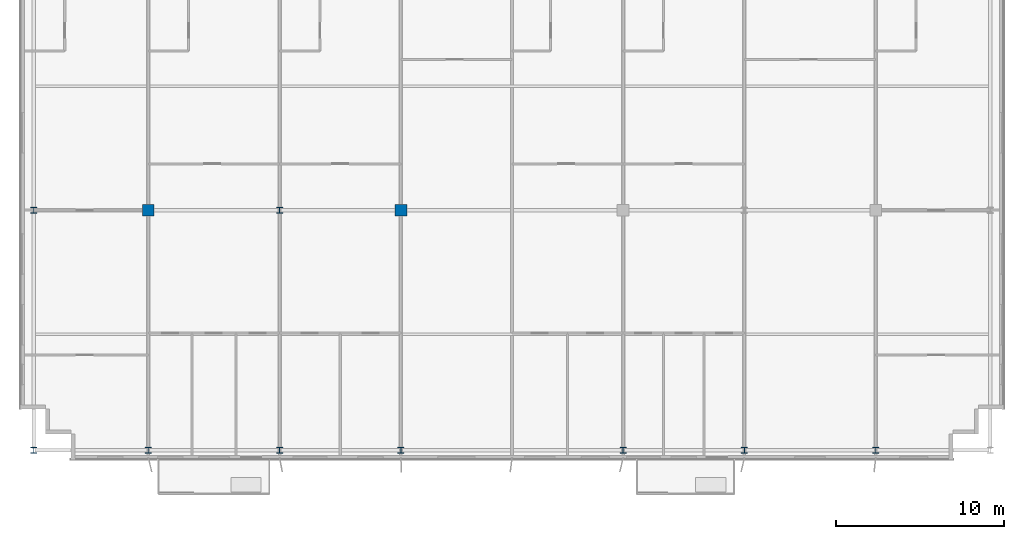
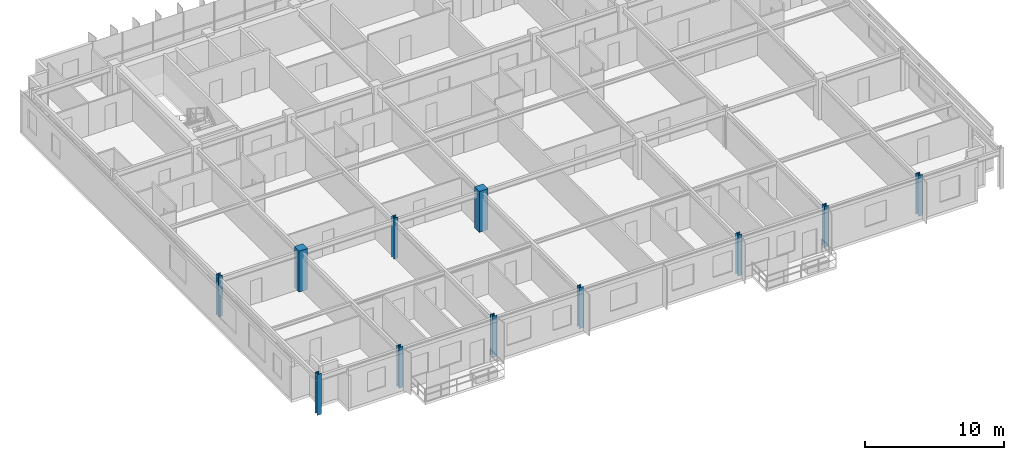
# One storey, part 1 of 23: 11 columns.
"""IFC4 building model written with IfcOpenShell, lengths in metres."""

from ifc_helpers import new_model, si_unit, direction, frame, origin, origin_2d, place, context, subcontext, project, spatial, rectangle, i_section, extrude, source, transform, mapped, material, material_profile, profile_set, type_object, element, save


model = new_model("IFC4")

# Units and contexts
model_context = context("Model", 3, precision=1e-05, world=origin(), true_north=direction((0.0, 1.0)))
body_context = subcontext(model_context, "Body", "Model", "MODEL_VIEW")
ifc_project = project(units=[si_unit("LENGTHUNIT", "METRE"), si_unit("AREAUNIT", "SQUARE_METRE"), si_unit("VOLUMEUNIT", "CUBIC_METRE"), si_unit("PLANEANGLEUNIT", "RADIAN"), si_unit("MASSUNIT", "GRAM", prefix="KILO")], contexts=[model_context])

# Site, building, storey
site_placement = place(None, origin())
site = spatial("IfcSite", under=ifc_project, at=site_placement, CompositionType="ELEMENT")
building_placement = place(site_placement, origin())
building = spatial("IfcBuilding", under=site, at=building_placement, Name="Trelvane Seafront Commons", CompositionType="ELEMENT")
storey_placement = place(building_placement, frame((0.0, 0.0, 226.5)))
storey = spatial("IfcBuildingStorey", under=building, at=storey_placement, Name="L59", CompositionType="ELEMENT", Elevation=226.5)

# Columns
ifc_material_1 = material(Name="Concrete C50/60", Category="concrete")
ifc_material_profile_1 = material_profile(ifc_material_1, rectangle(XDim=0.699951171875, YDim=0.699951171875, at=origin_2d()), Name="RC-700x700")
ifc_profile_set_1 = profile_set([ifc_material_profile_1], Name="Concrete C50/60")
column_type_1 = type_object("IfcColumnType", Name="STR-COL-RC700", PredefinedType="COLUMN", material=ifc_profile_set_1)
shared_shape_1 = source(origin(), body_context, "Body", "SweptSolid", [
    extrude(rectangle(XDim=0.699951171875, YDim=0.699951171875, at=origin_2d()), origin(), (0.0, 0.0, 1.0), 3.60009765625),
])
for number, where, z_axis, x_axis, name in (
    (1, (15.60009765625, 18.199951171875, 0.0), (0.0, 0.0, 1.0), (1.0, 0.0, 0.0), "L59 Column TC-M15.6"),
    (2, (30.60009765625, 18.199951171875, 0.0), (0.0, 0.0, 1.0), (1.0, 0.0, 0.0), "L59 Column TC-M30.6"),
):
    element("IfcColumn", number, at=place(storey_placement, frame(where, z_axis=z_axis, x_axis=x_axis)), inside=storey, type_object=column_type_1, Name=name, PredefinedType="COLUMN", context=body_context, shape_type="MappedRepresentation", body=[
        mapped(shared_shape_1, transform((0.0, 0.0, 0.0), x_axis=(1.0, 0.0, 0.0), y_axis=(0.0, 1.0, 0.0), z_axis=(0.0, 0.0, 1.0), scale=1.0)),
    ])
ifc_material_2 = material(Name="Steel SM355 (S355)", Category="steel")
ifc_material_profile_2 = material_profile(ifc_material_2, i_section(OverallWidth=0.35009765625, OverallDepth=0.35009765625, WebThickness=0.01806640625, FlangeThickness=0.028076171875, at=origin_2d()), Name="HD-350x350x18x28")
ifc_profile_set_2 = profile_set([ifc_material_profile_2], Name="Steel SM355 (S355)")
column_type_2 = type_object("IfcColumnType", Name="STR-COL-HD350", PredefinedType="COLUMN", material=ifc_profile_set_2)
shared_shape_2 = source(origin(), body_context, "Body", "SweptSolid", [
    extrude(i_section(OverallWidth=0.35009765625, OverallDepth=0.35009765625, WebThickness=0.01806640625, FlangeThickness=0.028076171875, at=origin_2d()), origin(), (0.0, 0.0, 1.0), 3.60009765625),
])
for number, where, z_axis, x_axis, name in (
    (3, (8.800048828125, 3.949951171875, 0.0), (0.0, 0.0, 1.0), (1.0, 0.0, 0.0), "L59 Column TC-S8.8"),
    (4, (8.800048828125, 18.199951171875, 0.0), (0.0, 0.0, 1.0), (1.0, 0.0, 0.0), "L59 Column TC-M8.8"),
    (5, (15.60009765625, 3.949951171875, 0.0), (0.0, 0.0, 1.0), (1.0, 0.0, 0.0), "L59 Column TC-S15.6"),
    (6, (23.39990234375, 3.949951171875, 0.0), (0.0, 0.0, 1.0), (1.0, 0.0, 0.0), "L59 Column TC-S23.4"),
    (7, (23.39990234375, 18.199951171875, 0.0), (0.0, 0.0, 1.0), (1.0, 0.0, 0.0), "L59 Column TC-M23.4"),
    (8, (30.60009765625, 3.949951171875, 0.0), (0.0, 0.0, 1.0), (1.0, 0.0, 0.0), "L59 Column TC-S30.6"),
    (9, (43.800048828125, 3.949951171875, 0.0), (0.0, 0.0, 1.0), (1.0, 0.0, 0.0), "L59 Column TC-S43.8"),
    (10, (51.0, 3.949951171875, 0.0), (0.0, 0.0, 1.0), (1.0, 0.0, 0.0), "L59 Column TC-S51.0"),
    (11, (58.800048828125, 3.949951171875, 0.0), (0.0, 0.0, 1.0), (1.0, 0.0, 0.0), "L59 Column TC-S58.8"),
):
    element("IfcColumn", number, at=place(storey_placement, frame(where, z_axis=z_axis, x_axis=x_axis)), inside=storey, type_object=column_type_2, Name=name, PredefinedType="COLUMN", context=body_context, shape_type="MappedRepresentation", body=[
        mapped(shared_shape_2, transform((0.0, 0.0, 0.0), x_axis=(1.0, 0.0, 0.0), y_axis=(0.0, 1.0, 0.0), z_axis=(0.0, 0.0, 1.0), scale=1.0)),
    ])

save(model, "model.ifc")
